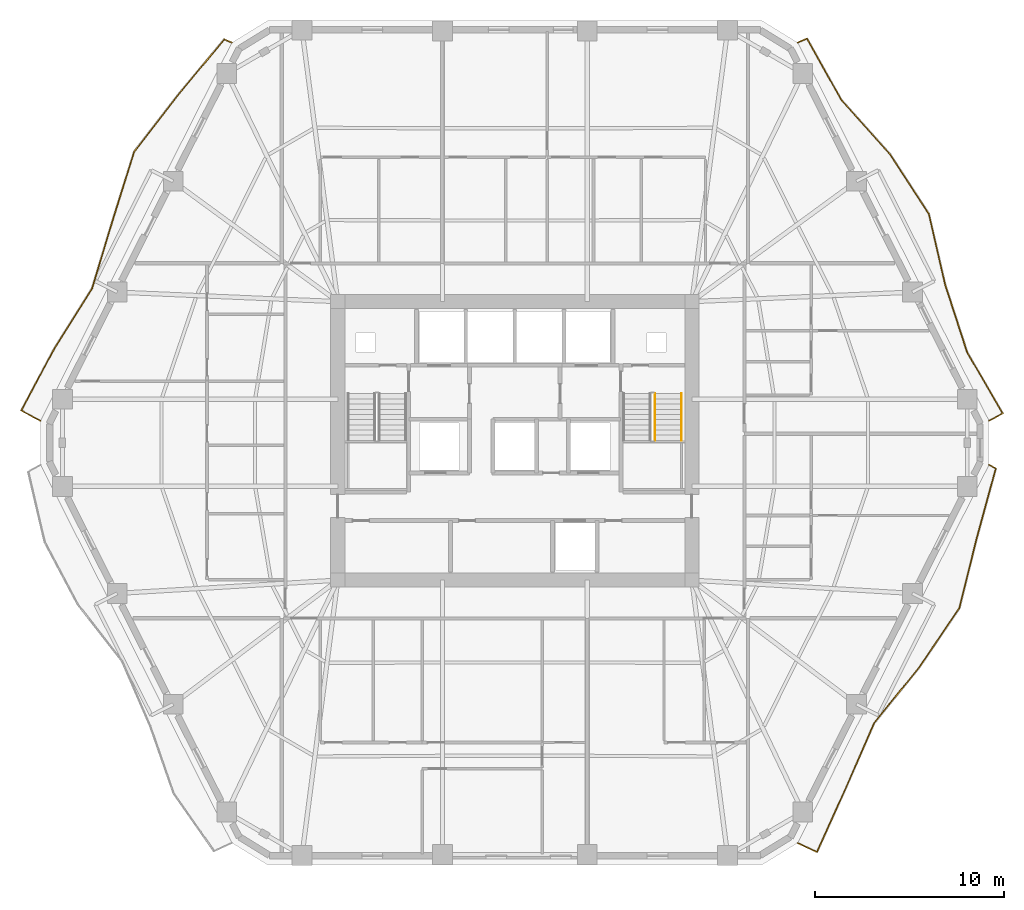
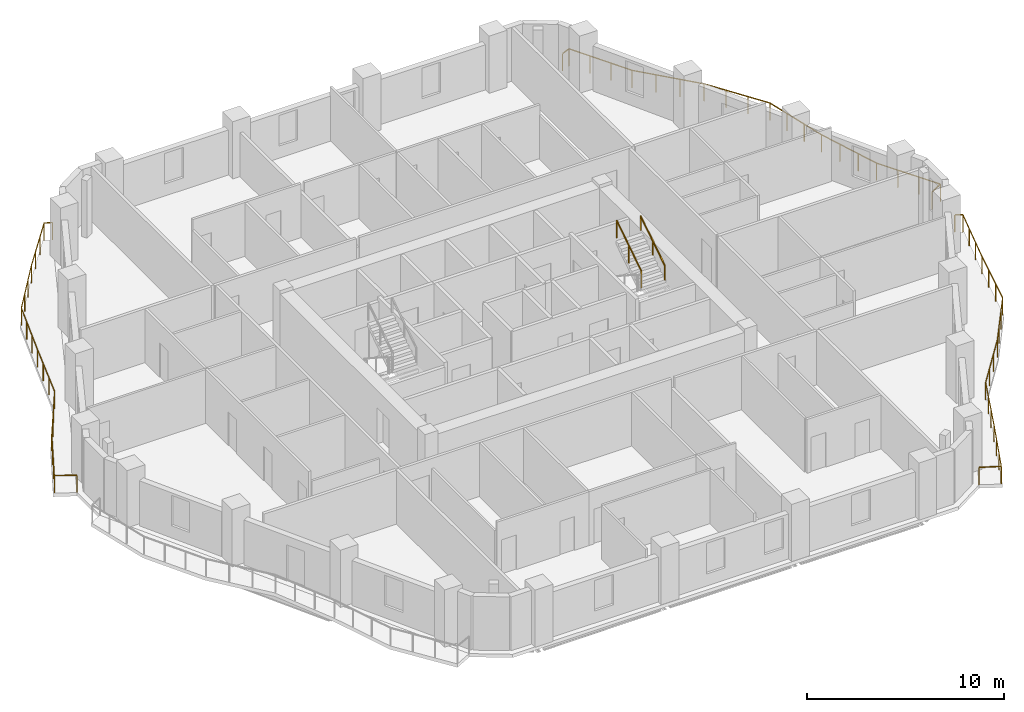
# One storey, part 11 of 11: 5 railings.
"""IFC4 building model written with IfcOpenShell, lengths in metres."""

from ifc_helpers import new_model, si_unit, direction, frame, origin, origin_2d, place, context, subcontext, project, spatial, rectangle, extrude, material, type_object, element, save


model = new_model("IFC4")

# Units and contexts
model_context = context("Model", 3, precision=1e-05, world=origin(), true_north=direction((0.0, 1.0)))
body_context = subcontext(model_context, "Body", "Model", "MODEL_VIEW")
ifc_project = project(units=[si_unit("LENGTHUNIT", "METRE"), si_unit("AREAUNIT", "SQUARE_METRE"), si_unit("VOLUMEUNIT", "CUBIC_METRE"), si_unit("PLANEANGLEUNIT", "RADIAN"), si_unit("MASSUNIT", "GRAM", prefix="KILO")], contexts=[model_context])

# Site, building, storey
site_placement = place(None, origin())
site = spatial("IfcSite", under=ifc_project, at=site_placement, CompositionType="ELEMENT")
building_placement = place(site_placement, origin())
building = spatial("IfcBuilding", under=site, at=building_placement, Name="Cinnabar Lancet Tower", CompositionType="ELEMENT")
storey_placement = place(building_placement, frame((0.0, 0.0, 105.5)))
storey = spatial("IfcBuildingStorey", under=building, at=storey_placement, Name="L27", CompositionType="ELEMENT", Elevation=105.5)

# Railings
ifc_material_1 = material(Name="Laminated safety glass and bronze stainless steel balustrade", Category="steel")
railing_type_1 = type_object("IfcRailingType", Name="ENV-RLG-BAL-1100", PredefinedType="BALUSTRADE", material=ifc_material_1)
railing_1_placement = place(storey_placement, frame((47.37890625, 4.610107421875, 0.0)))
element("IfcRailing", 1, at=railing_1_placement, inside=storey, type_object=railing_type_1, Name="L27 Face 2 Wave Balcony Balustrade", PredefinedType="BALUSTRADE", context=body_context, shape_type="SweptSolid", body=[
    extrude(rectangle(XDim=0.048095703125, YDim=0.048095703125, at=origin_2d()), frame((0.0, 0.0, 1.076171875), z_axis=(0.904392266512, -0.426702036875, 0.0), x_axis=(0.426702036875, 0.904392266512, 0.0)), (0.0, 0.0, 1.0), 1.130126953125),
    extrude(rectangle(XDim=0.048095703125, YDim=0.048095703125, at=origin_2d()), frame((1.02197265625, -0.482177734375, 1.076171875), z_axis=(0.410595595021, 0.911817557053, 0.0), x_axis=(-0.911817557053, 0.410595595021, 0.0)), (0.0, 0.0, 1.0), 3.736572265625),
    extrude(rectangle(XDim=0.048095703125, YDim=0.048095703125, at=origin_2d()), frame((2.55615234375, 2.9248046875, 1.076171875), z_axis=(0.39938276319, 0.916784275862, 0.0), x_axis=(-0.916784275862, 0.39938276319, 0.0)), (0.0, 0.0, 1.0), 3.738037109375),
    extrude(rectangle(XDim=0.048095703125, YDim=0.048095703125, at=origin_2d()), frame((4.049072265625, 6.351806640625, 1.076171875), z_axis=(0.62888346806, 0.777499571448, 0.0), x_axis=(-0.777499571448, 0.62888346806, 0.0)), (0.0, 0.0, 1.0), 3.816162109375),
    extrude(rectangle(XDim=0.048095703125, YDim=0.048095703125, at=origin_2d()), frame((6.448974609375, 9.31884765625, 1.076171875), z_axis=(0.56090269729, 0.827881733204, 0.0), x_axis=(-0.827881733204, 0.56090269729, 0.0)), (0.0, 0.0, 1.0), 3.76025390625),
    extrude(rectangle(XDim=0.048095703125, YDim=0.048095703125, at=origin_2d()), frame((8.55810546875, 12.431884765625, 1.076171875), z_axis=(0.241439807544, 0.970415797137, 0.0), x_axis=(-0.970415797137, 0.241439807544, 0.0)), (0.0, 0.0, 1.0), 3.827392578125),
    extrude(rectangle(XDim=0.048095703125, YDim=0.048095703125, at=origin_2d()), frame((9.482177734375, 16.14599609375, 1.076171875), z_axis=(0.263833274725, 0.964568298851, 0.0), x_axis=(-0.964568298851, 0.263833274725, 0.0)), (0.0, 0.0, 1.0), 3.808837890625),
    extrude(rectangle(XDim=0.048095703125, YDim=0.048095703125, at=origin_2d()), frame((10.487060546875, 19.81982421875, 1.076171875), z_axis=(-0.859479427513, 0.511170337248, 0.0), x_axis=(-0.511170337248, -0.859479427513, 0.0)), (0.0, 0.0, 1.0), 0.41064453125),
    extrude(rectangle(XDim=0.0419921875, YDim=0.0419921875, at=origin_2d()), origin(), (0.0, 0.0, 1.0), 1.052001953125),
    extrude(rectangle(XDim=0.0419921875, YDim=0.0419921875, at=origin_2d()), frame((1.02197265625, -0.482177734375, 0.0)), (0.0, 0.0, 1.0), 1.052001953125),
    extrude(rectangle(XDim=0.0419921875, YDim=0.0419921875, at=origin_2d()), frame((1.533447265625, 0.653564453125, 0.0)), (0.0, 0.0, 1.0), 1.052001953125),
    extrude(rectangle(XDim=0.0419921875, YDim=0.0419921875, at=origin_2d()), frame((2.044677734375, 1.7890625, 0.0)), (0.0, 0.0, 1.0), 1.052001953125),
    extrude(rectangle(XDim=0.0419921875, YDim=0.0419921875, at=origin_2d()), frame((2.55615234375, 2.9248046875, 0.0)), (0.0, 0.0, 1.0), 1.052001953125),
    extrude(rectangle(XDim=0.0419921875, YDim=0.0419921875, at=origin_2d()), frame((3.0537109375, 4.067138671875, 0.0)), (0.0, 0.0, 1.0), 1.052001953125),
    extrude(rectangle(XDim=0.0419921875, YDim=0.0419921875, at=origin_2d()), frame((3.551513671875, 5.20947265625, 0.0)), (0.0, 0.0, 1.0), 1.052001953125),
    extrude(rectangle(XDim=0.0419921875, YDim=0.0419921875, at=origin_2d()), frame((4.049072265625, 6.351806640625, 0.0)), (0.0, 0.0, 1.0), 1.052001953125),
    extrude(rectangle(XDim=0.0419921875, YDim=0.0419921875, at=origin_2d()), frame((4.84912109375, 7.3408203125, 0.0)), (0.0, 0.0, 1.0), 1.052001953125),
    extrude(rectangle(XDim=0.0419921875, YDim=0.0419921875, at=origin_2d()), frame((5.64892578125, 8.329833984375, 0.0)), (0.0, 0.0, 1.0), 1.052001953125),
    extrude(rectangle(XDim=0.0419921875, YDim=0.0419921875, at=origin_2d()), frame((6.448974609375, 9.31884765625, 0.0)), (0.0, 0.0, 1.0), 1.052001953125),
    extrude(rectangle(XDim=0.0419921875, YDim=0.0419921875, at=origin_2d()), frame((7.152099609375, 10.3564453125, 0.0)), (0.0, 0.0, 1.0), 1.052001953125),
    extrude(rectangle(XDim=0.0419921875, YDim=0.0419921875, at=origin_2d()), frame((7.85498046875, 11.394287109375, 0.0)), (0.0, 0.0, 1.0), 1.052001953125),
    extrude(rectangle(XDim=0.0419921875, YDim=0.0419921875, at=origin_2d()), frame((8.55810546875, 12.431884765625, 0.0)), (0.0, 0.0, 1.0), 1.052001953125),
    extrude(rectangle(XDim=0.0419921875, YDim=0.0419921875, at=origin_2d()), frame((8.8662109375, 13.669921875, 0.0)), (0.0, 0.0, 1.0), 1.052001953125),
    extrude(rectangle(XDim=0.0419921875, YDim=0.0419921875, at=origin_2d()), frame((9.174072265625, 14.907958984375, 0.0)), (0.0, 0.0, 1.0), 1.052001953125),
    extrude(rectangle(XDim=0.0419921875, YDim=0.0419921875, at=origin_2d()), frame((9.482177734375, 16.14599609375, 0.0)), (0.0, 0.0, 1.0), 1.052001953125),
    extrude(rectangle(XDim=0.0419921875, YDim=0.0419921875, at=origin_2d()), frame((9.817138671875, 17.37060546875, 0.0)), (0.0, 0.0, 1.0), 1.052001953125),
    extrude(rectangle(XDim=0.0419921875, YDim=0.0419921875, at=origin_2d()), frame((10.152099609375, 18.59521484375, 0.0)), (0.0, 0.0, 1.0), 1.052001953125),
    extrude(rectangle(XDim=0.0419921875, YDim=0.0419921875, at=origin_2d()), frame((10.487060546875, 19.81982421875, 0.0)), (0.0, 0.0, 1.0), 1.052001953125),
    extrude(rectangle(XDim=0.0419921875, YDim=0.0419921875, at=origin_2d()), frame((10.134033203125, 20.02978515625, 0.0)), (0.0, 0.0, 1.0), 1.052001953125),
])
railing_2_placement = place(storey_placement, frame((57.512939453125, 26.9599609375, 0.0)))
element("IfcRailing", 2, at=railing_2_placement, inside=storey, type_object=railing_type_1, Name="L27 Face 3 Wave Balcony Balustrade", PredefinedType="BALUSTRADE", context=body_context, shape_type="SweptSolid", body=[
    extrude(rectangle(XDim=0.048095703125, YDim=0.048095703125, at=origin_2d()), frame((0.0, 0.0, 1.076171875), z_axis=(0.876209635416, 0.481930155525, 0.0), x_axis=(-0.481930155525, 0.876209635416, 0.0)), (0.0, 0.0, 1.0), 0.82177734375),
    extrude(rectangle(XDim=0.048095703125, YDim=0.048095703125, at=origin_2d()), frame((0.719970703125, 0.39599609375, 1.076171875), z_axis=(-0.50290422437, 0.864342143547, 0.0), x_axis=(-0.864342143547, -0.50290422437, 0.0)), (0.0, 0.0, 1.0), 3.738037109375),
    extrude(rectangle(XDim=0.048095703125, YDim=0.048095703125, at=origin_2d()), frame((-1.159912109375, 3.626953125, 1.076171875), z_axis=(-0.309605082584, 0.950865233794, 0.0), x_axis=(-0.950865233794, -0.309605082584, 0.0)), (0.0, 0.0, 1.0), 3.775634765625),
    extrude(rectangle(XDim=0.048095703125, YDim=0.048095703125, at=origin_2d()), frame((-2.328857421875, 7.217041015625, 1.076171875), z_axis=(-0.224386087273, 0.974500325212, 0.0), x_axis=(-0.974500325212, -0.224386087273, 0.0)), (0.0, 0.0, 1.0), 3.841796875),
    extrude(rectangle(XDim=0.048095703125, YDim=0.048095703125, at=origin_2d()), frame((-3.19091796875, 10.9609375, 1.076171875), z_axis=(-0.545706103759, 0.837976639483, 0.0), x_axis=(-0.837976639483, -0.545706103759, 0.0)), (0.0, 0.0, 1.0), 3.753173828125),
    extrude(rectangle(XDim=0.048095703125, YDim=0.048095703125, at=origin_2d()), frame((-5.239013671875, 14.10595703125, 1.076171875), z_axis=(-0.667741897498, 0.744392879013, 0.0), x_axis=(-0.744392879013, -0.667741897498, 0.0)), (0.0, 0.0, 1.0), 3.863525390625),
    extrude(rectangle(XDim=0.048095703125, YDim=0.048095703125, at=origin_2d()), frame((-7.81884765625, 16.98193359375, 1.076171875), z_axis=(-0.487761298479, 0.872977041912, 0.0), x_axis=(-0.872977041912, -0.487761298479, 0.0)), (0.0, 0.0, 1.0), 3.735595703125),
    extrude(rectangle(XDim=0.048095703125, YDim=0.048095703125, at=origin_2d()), frame((-9.640869140625, 20.242919921875, 1.076171875), z_axis=(-0.918107462076, -0.396331538084, 0.0), x_axis=(0.396331538084, -0.918107462076, 0.0)), (0.0, 0.0, 1.0), 0.537109375),
    extrude(rectangle(XDim=0.0419921875, YDim=0.0419921875, at=origin_2d()), origin(), (0.0, 0.0, 1.0), 1.052001953125),
    extrude(rectangle(XDim=0.0419921875, YDim=0.0419921875, at=origin_2d()), frame((0.719970703125, 0.39599609375, 0.0)), (0.0, 0.0, 1.0), 1.052001953125),
    extrude(rectangle(XDim=0.0419921875, YDim=0.0419921875, at=origin_2d()), frame((0.09326171875, 1.472900390625, 0.0)), (0.0, 0.0, 1.0), 1.052001953125),
    extrude(rectangle(XDim=0.0419921875, YDim=0.0419921875, at=origin_2d()), frame((-0.533203125, 2.550048828125, 0.0)), (0.0, 0.0, 1.0), 1.052001953125),
    extrude(rectangle(XDim=0.0419921875, YDim=0.0419921875, at=origin_2d()), frame((-1.159912109375, 3.626953125, 0.0)), (0.0, 0.0, 1.0), 1.052001953125),
    extrude(rectangle(XDim=0.0419921875, YDim=0.0419921875, at=origin_2d()), frame((-1.549560546875, 4.82373046875, 0.0)), (0.0, 0.0, 1.0), 1.052001953125),
    extrude(rectangle(XDim=0.0419921875, YDim=0.0419921875, at=origin_2d()), frame((-1.939208984375, 6.020263671875, 0.0)), (0.0, 0.0, 1.0), 1.052001953125),
    extrude(rectangle(XDim=0.0419921875, YDim=0.0419921875, at=origin_2d()), frame((-2.328857421875, 7.217041015625, 0.0)), (0.0, 0.0, 1.0), 1.052001953125),
    extrude(rectangle(XDim=0.0419921875, YDim=0.0419921875, at=origin_2d()), frame((-2.6162109375, 8.465087890625, 0.0)), (0.0, 0.0, 1.0), 1.052001953125),
    extrude(rectangle(XDim=0.0419921875, YDim=0.0419921875, at=origin_2d()), frame((-2.903564453125, 9.712890625, 0.0)), (0.0, 0.0, 1.0), 1.052001953125),
    extrude(rectangle(XDim=0.0419921875, YDim=0.0419921875, at=origin_2d()), frame((-3.19091796875, 10.9609375, 0.0)), (0.0, 0.0, 1.0), 1.052001953125),
    extrude(rectangle(XDim=0.0419921875, YDim=0.0419921875, at=origin_2d()), frame((-3.87353515625, 12.00927734375, 0.0)), (0.0, 0.0, 1.0), 1.052001953125),
    extrude(rectangle(XDim=0.0419921875, YDim=0.0419921875, at=origin_2d()), frame((-4.556396484375, 13.0576171875, 0.0)), (0.0, 0.0, 1.0), 1.052001953125),
    extrude(rectangle(XDim=0.0419921875, YDim=0.0419921875, at=origin_2d()), frame((-5.239013671875, 14.10595703125, 0.0)), (0.0, 0.0, 1.0), 1.052001953125),
    extrude(rectangle(XDim=0.0419921875, YDim=0.0419921875, at=origin_2d()), frame((-6.098876953125, 15.064697265625, 0.0)), (0.0, 0.0, 1.0), 1.052001953125),
    extrude(rectangle(XDim=0.0419921875, YDim=0.0419921875, at=origin_2d()), frame((-6.958984375, 16.023193359375, 0.0)), (0.0, 0.0, 1.0), 1.052001953125),
    extrude(rectangle(XDim=0.0419921875, YDim=0.0419921875, at=origin_2d()), frame((-7.81884765625, 16.98193359375, 0.0)), (0.0, 0.0, 1.0), 1.052001953125),
    extrude(rectangle(XDim=0.0419921875, YDim=0.0419921875, at=origin_2d()), frame((-8.42626953125, 18.06884765625, 0.0)), (0.0, 0.0, 1.0), 1.052001953125),
    extrude(rectangle(XDim=0.0419921875, YDim=0.0419921875, at=origin_2d()), frame((-9.033447265625, 19.156005859375, 0.0)), (0.0, 0.0, 1.0), 1.052001953125),
    extrude(rectangle(XDim=0.0419921875, YDim=0.0419921875, at=origin_2d()), frame((-9.640869140625, 20.242919921875, 0.0)), (0.0, 0.0, 1.0), 1.052001953125),
    extrude(rectangle(XDim=0.0419921875, YDim=0.0419921875, at=origin_2d()), frame((-10.134033203125, 20.030029296875, 0.0)), (0.0, 0.0, 1.0), 1.052001953125),
])
railing_3_placement = place(storey_placement, frame((17.4208984375, 46.989990234375, 0.0)))
element("IfcRailing", 3, at=railing_3_placement, inside=storey, type_object=railing_type_1, Name="L27 Face 5 Wave Balcony Balustrade", PredefinedType="BALUSTRADE", context=body_context, shape_type="SweptSolid", body=[
    extrude(rectangle(XDim=0.048095703125, YDim=0.048095703125, at=origin_2d()), frame((0.0, 0.0, 1.076171875), z_axis=(-0.922846212014, 0.385168624074, 0.0), x_axis=(-0.385168624074, -0.922846212014, 0.0)), (0.0, 0.0, 1.0), 0.438720703125),
    extrude(rectangle(XDim=0.048095703125, YDim=0.048095703125, at=origin_2d()), frame((-0.40478515625, 0.1689453125, 1.076171875), z_axis=(-0.639381226266, -0.768889879956, 0.0), x_axis=(0.768889879956, -0.639381226266, 0.0)), (0.0, 0.0, 1.0), 3.82861328125),
    extrude(rectangle(XDim=0.048095703125, YDim=0.048095703125, at=origin_2d()), frame((-2.852783203125, -2.77490234375, 1.076171875), z_axis=(-0.611463961623, -0.791272281605, 0.0), x_axis=(0.791272281605, -0.611463961623, 0.0)), (0.0, 0.0, 1.0), 3.799072265625),
    extrude(rectangle(XDim=0.048095703125, YDim=0.048095703125, at=origin_2d()), frame((-5.17578125, -5.781005859375, 1.076171875), z_axis=(-0.299546303966, -0.954081763677, 0.0), x_axis=(0.954081763677, -0.299546303966, 0.0)), (0.0, 0.0, 1.0), 3.782470703125),
    extrude(rectangle(XDim=0.048095703125, YDim=0.048095703125, at=origin_2d()), frame((-6.308837890625, -9.389892578125, 1.076171875), z_axis=(-0.288760547377, -0.957401350677, 0.0), x_axis=(0.957401350677, -0.288760547377, 0.0)), (0.0, 0.0, 1.0), 3.78857421875),
    extrude(rectangle(XDim=0.048095703125, YDim=0.048095703125, at=origin_2d()), frame((-7.40283203125, -13.01708984375, 1.076171875), z_axis=(-0.532433048133, -0.846472119597, 0.0), x_axis=(0.846472119597, -0.532433048133, 0.0)), (0.0, 0.0, 1.0), 3.7470703125),
    extrude(rectangle(XDim=0.048095703125, YDim=0.048095703125, at=origin_2d()), frame((-9.39794921875, -16.18896484375, 1.076171875), z_axis=(-0.469542475914, -0.882909884027, 0.0), x_axis=(0.882909884027, -0.469542475914, 0.0)), (0.0, 0.0, 1.0), 3.733154296875),
    extrude(rectangle(XDim=0.048095703125, YDim=0.048095703125, at=origin_2d()), frame((-11.15087890625, -19.485107421875, 1.076171875), z_axis=(0.881461096573, -0.472256641275, 0.0), x_axis=(0.472256641275, 0.881461096573, 0.0)), (0.0, 0.0, 1.0), 1.15380859375),
    extrude(rectangle(XDim=0.0419921875, YDim=0.0419921875, at=origin_2d()), origin(), (0.0, 0.0, 1.0), 1.052001953125),
    extrude(rectangle(XDim=0.0419921875, YDim=0.0419921875, at=origin_2d()), frame((-0.40478515625, 0.1689453125, 0.0)), (0.0, 0.0, 1.0), 1.052001953125),
    extrude(rectangle(XDim=0.0419921875, YDim=0.0419921875, at=origin_2d()), frame((-1.220703125, -0.812255859375, 0.0)), (0.0, 0.0, 1.0), 1.052001953125),
    extrude(rectangle(XDim=0.0419921875, YDim=0.0419921875, at=origin_2d()), frame((-2.036865234375, -1.793701171875, 0.0)), (0.0, 0.0, 1.0), 1.052001953125),
    extrude(rectangle(XDim=0.0419921875, YDim=0.0419921875, at=origin_2d()), frame((-2.852783203125, -2.77490234375, 0.0)), (0.0, 0.0, 1.0), 1.052001953125),
    extrude(rectangle(XDim=0.0419921875, YDim=0.0419921875, at=origin_2d()), frame((-3.627197265625, -3.77685546875, 0.0)), (0.0, 0.0, 1.0), 1.052001953125),
    extrude(rectangle(XDim=0.0419921875, YDim=0.0419921875, at=origin_2d()), frame((-4.4013671875, -4.779052734375, 0.0)), (0.0, 0.0, 1.0), 1.052001953125),
    extrude(rectangle(XDim=0.0419921875, YDim=0.0419921875, at=origin_2d()), frame((-5.17578125, -5.781005859375, 0.0)), (0.0, 0.0, 1.0), 1.052001953125),
    extrude(rectangle(XDim=0.0419921875, YDim=0.0419921875, at=origin_2d()), frame((-5.553466796875, -6.98388671875, 0.0)), (0.0, 0.0, 1.0), 1.052001953125),
    extrude(rectangle(XDim=0.0419921875, YDim=0.0419921875, at=origin_2d()), frame((-5.93115234375, -8.18701171875, 0.0)), (0.0, 0.0, 1.0), 1.052001953125),
    extrude(rectangle(XDim=0.0419921875, YDim=0.0419921875, at=origin_2d()), frame((-6.308837890625, -9.389892578125, 0.0)), (0.0, 0.0, 1.0), 1.052001953125),
    extrude(rectangle(XDim=0.0419921875, YDim=0.0419921875, at=origin_2d()), frame((-6.673583984375, -10.598876953125, 0.0)), (0.0, 0.0, 1.0), 1.052001953125),
    extrude(rectangle(XDim=0.0419921875, YDim=0.0419921875, at=origin_2d()), frame((-7.0380859375, -11.80810546875, 0.0)), (0.0, 0.0, 1.0), 1.052001953125),
    extrude(rectangle(XDim=0.0419921875, YDim=0.0419921875, at=origin_2d()), frame((-7.40283203125, -13.01708984375, 0.0)), (0.0, 0.0, 1.0), 1.052001953125),
    extrude(rectangle(XDim=0.0419921875, YDim=0.0419921875, at=origin_2d()), frame((-8.06787109375, -14.074462890625, 0.0)), (0.0, 0.0, 1.0), 1.052001953125),
    extrude(rectangle(XDim=0.0419921875, YDim=0.0419921875, at=origin_2d()), frame((-8.73291015625, -15.131591796875, 0.0)), (0.0, 0.0, 1.0), 1.052001953125),
    extrude(rectangle(XDim=0.0419921875, YDim=0.0419921875, at=origin_2d()), frame((-9.39794921875, -16.18896484375, 0.0)), (0.0, 0.0, 1.0), 1.052001953125),
    extrude(rectangle(XDim=0.0419921875, YDim=0.0419921875, at=origin_2d()), frame((-9.982177734375, -17.28759765625, 0.0)), (0.0, 0.0, 1.0), 1.052001953125),
    extrude(rectangle(XDim=0.0419921875, YDim=0.0419921875, at=origin_2d()), frame((-10.566650390625, -18.386474609375, 0.0)), (0.0, 0.0, 1.0), 1.052001953125),
    extrude(rectangle(XDim=0.0419921875, YDim=0.0419921875, at=origin_2d()), frame((-11.15087890625, -19.485107421875, 0.0)), (0.0, 0.0, 1.0), 1.052001953125),
    extrude(rectangle(XDim=0.0419921875, YDim=0.0419921875, at=origin_2d()), frame((-10.1337890625, -20.030029296875, 0.0)), (0.0, 0.0, 1.0), 1.052001953125),
])
ifc_material_2 = material(Name="Painted galvanized steel balustrade", Category="steel")
railing_type_2 = type_object("IfcRailingType", Name="GUARD-STAIR", PredefinedType="GUARDRAIL", material=ifc_material_2)
railing_4_placement = place(storey_placement, frame((39.824951171875, 25.925048828125, 1.952392578125)))
element("IfcRailing", 4, at=railing_4_placement, inside=storey, type_object=railing_type_2, Name="L27 ST-2 stair guard 3", PredefinedType="GUARDRAIL", context=body_context, shape_type="SweptSolid", body=[
    extrude(rectangle(XDim=0.048095703125, YDim=0.048095703125, at=origin_2d()), frame((0.0, 0.0, 1.076171875), z_axis=(0.0, 0.84014559416, 0.542360932049), x_axis=(-1.0, 0.0, 0.0)), (0.0, 0.0, 1.0), 2.94580078125),
    extrude(rectangle(XDim=0.0419921875, YDim=0.0419921875, at=origin_2d()), origin(), (0.0, 0.0, 1.0), 1.052001953125),
    extrude(rectangle(XDim=0.0419921875, YDim=0.0419921875, at=origin_2d()), frame((0.0, 1.2373046875, 0.798828125)), (0.0, 0.0, 1.0), 1.052001953125),
    extrude(rectangle(XDim=0.0419921875, YDim=0.0419921875, at=origin_2d()), frame((0.0, 2.474853515625, 1.59765625)), (0.0, 0.0, 1.0), 1.052001953125),
])
ifc_material_3 = material(Name="Brushed stainless steel handrail", Category="steel")
railing_type_3 = type_object("IfcRailingType", Name="HANDRAIL-STAIR", PredefinedType="HANDRAIL", material=ifc_material_3)
railing_5_placement = place(storey_placement, frame((41.22509765625, 25.925048828125, 1.952392578125)))
element("IfcRailing", 5, at=railing_5_placement, inside=storey, type_object=railing_type_3, Name="L27 ST-2 stair handrail 2", PredefinedType="HANDRAIL", context=body_context, shape_type="SweptSolid", body=[
    extrude(rectangle(XDim=0.048095703125, YDim=0.048095703125, at=origin_2d()), frame((0.0, 0.0, 0.8759765625), z_axis=(0.0, 0.84014559416, 0.542360932049), x_axis=(-1.0, 0.0, 0.0)), (0.0, 0.0, 1.0), 2.94580078125),
    extrude(rectangle(XDim=0.0419921875, YDim=0.0419921875, at=origin_2d()), origin(), (0.0, 0.0, 1.0), 0.851806640625),
    extrude(rectangle(XDim=0.0419921875, YDim=0.0419921875, at=origin_2d()), frame((0.0, 1.2373046875, 0.798828125)), (0.0, 0.0, 1.0), 0.851806640625),
    extrude(rectangle(XDim=0.0419921875, YDim=0.0419921875, at=origin_2d()), frame((0.0, 2.474853515625, 1.59765625)), (0.0, 0.0, 1.0), 0.851806640625),
])

save(model, "model.ifc")
